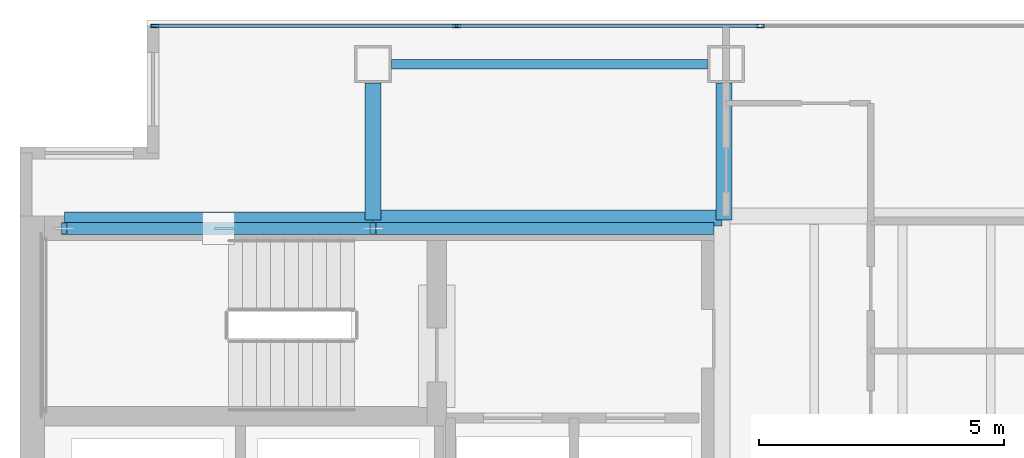
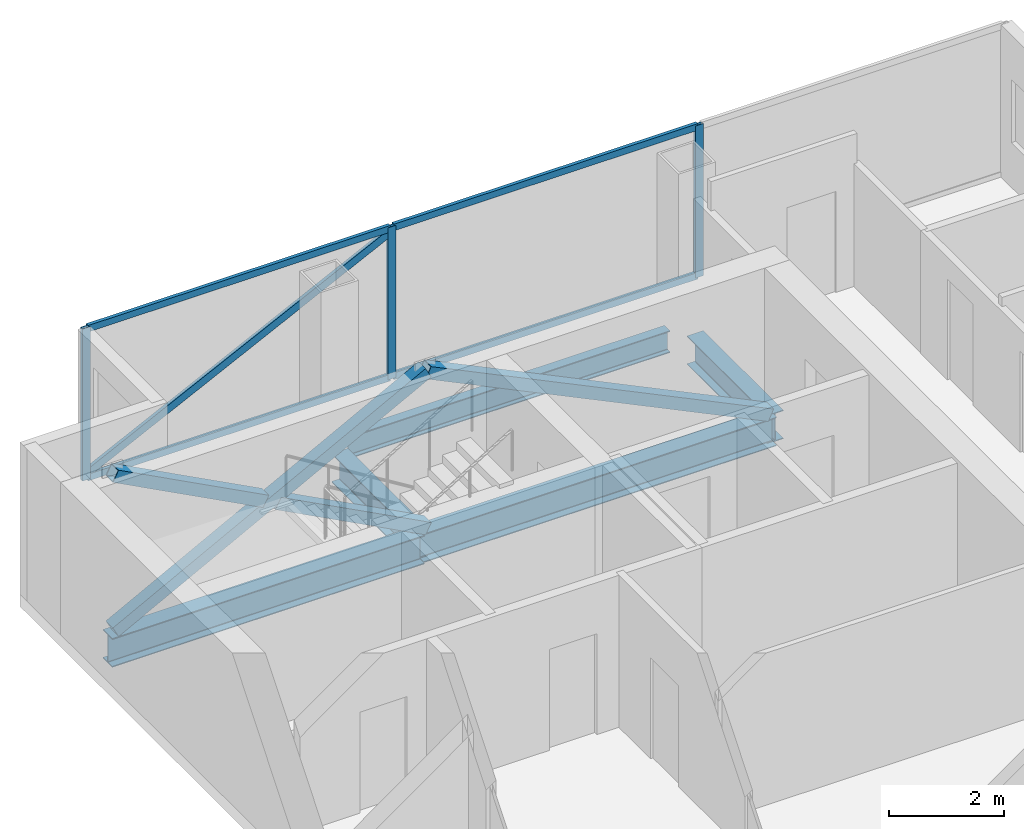
# One storey, part 17 of 23: 12 members, 5 beams, 1 element without a shape of its own.
"""IFC4 building model written with IfcOpenShell, lengths in metres."""

from ifc_helpers import new_model, si_unit, direction, frame, origin, origin_2d, place, context, subcontext, project, spatial, hollow_rectangle, i_section, extrude, material, material_profile, profile_set, type_object, element, aggregate, save


model = new_model("IFC4")

# Units and contexts
model_context = context("Model", 3, precision=1e-05, world=origin(), true_north=direction((0.0, 1.0)))
body_context = subcontext(model_context, "Body", "Model", "MODEL_VIEW")
ifc_project = project(units=[si_unit("LENGTHUNIT", "METRE"), si_unit("AREAUNIT", "SQUARE_METRE"), si_unit("VOLUMEUNIT", "CUBIC_METRE"), si_unit("PLANEANGLEUNIT", "RADIAN"), si_unit("MASSUNIT", "GRAM", prefix="KILO")], contexts=[model_context])

# Site, building, storey
site_placement = place(None, origin())
site = spatial("IfcSite", under=ifc_project, at=site_placement, CompositionType="ELEMENT")
building_placement = place(site_placement, origin())
building = spatial("IfcBuilding", under=site, at=building_placement, Name="Cobrela Telecom Tower", CompositionType="ELEMENT")
storey_placement = place(building_placement, frame((0.0, 0.0, 204.75)))
storey = spatial("IfcBuildingStorey", under=building, at=storey_placement, Name="L52", CompositionType="ELEMENT", Elevation=204.75)

# Beams
ifc_material_1 = material(Name="Steel ASTM A992 Grade 50", Category="steel")
ifc_material_profile_1 = material_profile(ifc_material_1, i_section(OverallWidth=0.324951171875, OverallDepth=0.612060546875, WebThickness=0.0126953125, FlangeThickness=0.01904296875, FilletRadius=0.014892578125, at=origin_2d()), Name="W24X104")
ifc_profile_set_1 = profile_set([ifc_material_profile_1], Name="Steel ASTM A992 Grade 50")
beam_type_1 = type_object("IfcBeamType", Name="BM-GIRD-07", PredefinedType="USERDEFINED", material=ifc_profile_set_1)
beam_1_placement = place(storey_placement, frame((0.905029296875, 35.919921875, -0.56591796875), z_axis=(1.0, 0.0, 0.0), x_axis=(0.0, 1.0, 0.0)))
element("IfcBeam", 1, at=beam_1_placement, inside=storey, type_object=beam_type_1, Name="L52 Primary Girder X20", ObjectType="GIRDER", PredefinedType="USERDEFINED", context=body_context, shape_type="SweptSolid", body=[
    extrude(i_section(OverallWidth=0.324951171875, OverallDepth=0.612060546875, WebThickness=0.0126953125, FlangeThickness=0.01904296875, FilletRadius=0.014892578125, at=origin_2d()), origin(), (0.0, 0.0, 1.0), 6.2900390625),
])
beam_2_placement = place(storey_placement, frame((7.205078125, 35.9599609375, -0.56591796875), z_axis=(1.0, 0.0, 0.0), x_axis=(0.0, 1.0, 0.0)))
element("IfcBeam", 2, at=beam_2_placement, inside=storey, type_object=beam_type_1, Name="L52 Primary Girder X21", ObjectType="GIRDER", PredefinedType="USERDEFINED", context=body_context, shape_type="SweptSolid", body=[
    extrude(i_section(OverallWidth=0.324951171875, OverallDepth=0.612060546875, WebThickness=0.0126953125, FlangeThickness=0.01904296875, FilletRadius=0.014892578125, at=origin_2d()), origin(), (0.0, 0.0, 1.0), 7.10986328125),
])
for number, where, z_axis, x_axis, name in (
    (3, (7.199951171875, 35.925048828125, -0.56591796875), (0.0, 1.0, 0.0), (-1.0, 0.0, 0.0), "L52 Primary Girder Y25"),
    (4, (14.360107421875, 35.925048828125, -0.56591796875), (0.0, 1.0, 0.0), (-1.0, 0.0, 0.0), "L52 Primary Girder Y31"),
):
    element("IfcBeam", number, at=place(storey_placement, frame(where, z_axis=z_axis, x_axis=x_axis)), inside=storey, type_object=beam_type_1, Name=name, ObjectType="GIRDER", PredefinedType="USERDEFINED", context=body_context, shape_type="SweptSolid", body=[
        extrude(i_section(OverallWidth=0.324951171875, OverallDepth=0.612060546875, WebThickness=0.0126953125, FlangeThickness=0.01904296875, FilletRadius=0.014892578125, at=origin_2d()), origin(), (0.0, 0.0, 1.0), 2.794921875),
    ])
ifc_material_profile_2 = material_profile(ifc_material_1, i_section(OverallWidth=0.193115234375, OverallDepth=0.467041015625, WebThickness=0.011474609375, FlangeThickness=0.01904296875, FilletRadius=0.012939453125, at=origin_2d()), Name="W18X65")
ifc_profile_set_2 = profile_set([ifc_material_profile_2], Name="Steel ASTM A992 Grade 50")
beam_type_2 = type_object("IfcBeamType", Name="BM-SPAND-05", PredefinedType="SPANDREL", material=ifc_profile_set_2)
beam_3_placement = place(storey_placement, frame((7.580078125, 39.10009765625, -0.493408203125), z_axis=(1.0, 0.0, 0.0), x_axis=(0.0, 1.0, 0.0)))
element("IfcBeam", 5, at=beam_3_placement, inside=storey, type_object=beam_type_2, Name="L52 Perimeter Spandrel X23", PredefinedType="SPANDREL", context=body_context, shape_type="SweptSolid", body=[
    extrude(i_section(OverallWidth=0.193115234375, OverallDepth=0.467041015625, WebThickness=0.011474609375, FlangeThickness=0.01904296875, FilletRadius=0.012939453125, at=origin_2d()), origin(), (0.0, 0.0, 1.0), 6.43994140625),
])

# Curtain wall, members
ifc_material_2 = material(Name="Anodized Bronze Aluminium 6063-T6", Category="aluminium")
curtain_wall_type = type_object("IfcCurtainWallType", Name="CW-SYS-OFF-LO", PredefinedType="USERDEFINED", material=ifc_material_2)
curtain_wall_placement = place(storey_placement, origin())
curtain_wall = element("IfcCurtainWall", 6, at=curtain_wall_placement, inside=storey, type_object=curtain_wall_type, Name="L52 Unitised Bronze Curtain Wall 07", ObjectType="UNITISED CURTAIN WALL", PredefinedType="USERDEFINED")
ifc_material_profile_3 = material_profile(ifc_material_2, hollow_rectangle(XDim=0.070068359375, YDim=0.159912109375, WallThickness=0.00390625, at=origin_2d()), Name="ALU 70x160x4")
ifc_profile_set_3 = profile_set([ifc_material_profile_3], Name="Anodized Bronze Aluminium 6063-T6")
member_type_1 = type_object("IfcMemberType", Name="CW-SYS-OFF-LO-MUL", PredefinedType="MULLION", material=ifc_profile_set_3)
member_1_placement = place(storey_placement, frame((2.7451171875, 39.8798828125, 0.0), z_axis=(0.0, 0.0, 1.0), x_axis=(0.0, 1.0, 0.0)))
member_1 = element("IfcMember", 7, at=member_1_placement, type_object=member_type_1, Name="CW-OFF-LO mullion 1", PredefinedType="MULLION", context=body_context, shape_type="SweptSolid", body=[
    extrude(hollow_rectangle(XDim=0.070068359375, YDim=0.159912109375, WallThickness=0.00390625, at=origin_2d()), origin(), (0.0, 0.0, 1.0), 3.239990234375),
])
member_2_placement = place(storey_placement, frame((8.9033203125, 39.8798828125, 0.0), z_axis=(0.0, 0.0, 1.0), x_axis=(0.0, 1.0, 0.0)))
member_2 = element("IfcMember", 8, at=member_2_placement, type_object=member_type_1, Name="CW-OFF-LO mullion 2", PredefinedType="MULLION", context=body_context, shape_type="SweptSolid", body=[
    extrude(hollow_rectangle(XDim=0.070068359375, YDim=0.159912109375, WallThickness=0.00390625, at=origin_2d()), origin(), (0.0, 0.0, 1.0), 3.239990234375),
])
member_3_placement = place(storey_placement, frame((15.0966796875, 39.8798828125, 0.0), z_axis=(0.0, 0.0, 1.0), x_axis=(0.0, 1.0, 0.0)))
member_3 = element("IfcMember", 9, at=member_3_placement, type_object=member_type_1, Name="CW-OFF-LO mullion 3", PredefinedType="MULLION", context=body_context, shape_type="SweptSolid", body=[
    extrude(hollow_rectangle(XDim=0.070068359375, YDim=0.159912109375, WallThickness=0.00390625, at=origin_2d()), origin(), (0.0, 0.0, 1.0), 3.239990234375),
])
member_4_placement = place(storey_placement, frame((2.7099609375, 39.8798828125, 0.10009765625), z_axis=(0.897700949578, 0.0, 0.440605271334), x_axis=(0.0, 1.0, 0.0)))
member_4 = element("IfcMember", 10, at=member_4_placement, type_object=member_type_1, Name="L52 Faceted Curtain Wall Diagonal Glazing Mullion", PredefinedType="MULLION", context=body_context, shape_type="SweptSolid", body=[
    extrude(hollow_rectangle(XDim=0.070068359375, YDim=0.159912109375, WallThickness=0.00390625, at=origin_2d()), origin(), (0.0, 0.0, 1.0), 6.899169921875),
])
ifc_material_profile_4 = material_profile(ifc_material_2, hollow_rectangle(XDim=0.070068359375, YDim=0.139892578125, WallThickness=0.00390625, at=origin_2d()), Name="ALU 70x140x4")
ifc_profile_set_4 = profile_set([ifc_material_profile_4], Name="Anodized Bronze Aluminium 6063-T6")
member_type_2 = type_object("IfcMemberType", Name="CW-SYS-OFF-LO-TRN", PredefinedType="USERDEFINED", material=ifc_profile_set_4)
member_5_placement = place(storey_placement, frame((2.780029296875, 39.8798828125, 0.034912109375), z_axis=(1.0, 0.0, 0.0), x_axis=(0.0, 1.0, 0.0)))
member_5 = element("IfcMember", 11, at=member_5_placement, type_object=member_type_2, Name="CW-OFF-LO transom 1.1", ObjectType="TRANSOM", PredefinedType="USERDEFINED", context=body_context, shape_type="SweptSolid", body=[
    extrude(hollow_rectangle(XDim=0.070068359375, YDim=0.139892578125, WallThickness=0.00390625, at=origin_2d()), origin(), (0.0, 0.0, 1.0), 6.08837890625),
])
member_6_placement = place(storey_placement, frame((2.780029296875, 39.8798828125, 3.205078125), z_axis=(1.0, 0.0, 0.0), x_axis=(0.0, 1.0, 0.0)))
member_6 = element("IfcMember", 12, at=member_6_placement, type_object=member_type_2, Name="CW-OFF-LO transom 1.2", ObjectType="TRANSOM", PredefinedType="USERDEFINED", context=body_context, shape_type="SweptSolid", body=[
    extrude(hollow_rectangle(XDim=0.070068359375, YDim=0.139892578125, WallThickness=0.00390625, at=origin_2d()), origin(), (0.0, 0.0, 1.0), 6.08837890625),
])
member_7_placement = place(storey_placement, frame((8.938232421875, 39.8798828125, 0.034912109375), z_axis=(1.0, 0.0, 0.0), x_axis=(0.0, 1.0, 0.0)))
member_7 = element("IfcMember", 13, at=member_7_placement, type_object=member_type_2, Name="CW-OFF-LO transom 2.1", ObjectType="TRANSOM", PredefinedType="USERDEFINED", context=body_context, shape_type="SweptSolid", body=[
    extrude(hollow_rectangle(XDim=0.070068359375, YDim=0.139892578125, WallThickness=0.00390625, at=origin_2d()), origin(), (0.0, 0.0, 1.0), 6.12353515625),
])
member_8_placement = place(storey_placement, frame((8.938232421875, 39.8798828125, 3.205078125), z_axis=(1.0, 0.0, 0.0), x_axis=(0.0, 1.0, 0.0)))
member_8 = element("IfcMember", 14, at=member_8_placement, type_object=member_type_2, Name="CW-OFF-LO transom 2.2", ObjectType="TRANSOM", PredefinedType="USERDEFINED", context=body_context, shape_type="SweptSolid", body=[
    extrude(hollow_rectangle(XDim=0.070068359375, YDim=0.139892578125, WallThickness=0.00390625, at=origin_2d()), origin(), (0.0, 0.0, 1.0), 6.12353515625),
])
aggregate(curtain_wall, [member_1, member_2, member_3, member_5, member_6, member_7, member_8, member_4])

# Members
ifc_material_3 = material(Name="Steel ASTM A572 Grade 50", Category="steel")
ifc_material_profile_5 = material_profile(ifc_material_3, hollow_rectangle(XDim=0.25, YDim=0.25, WallThickness=0.013916015625, at=origin_2d()), Name="HSS 250x250x14")
ifc_profile_set_5 = profile_set([ifc_material_profile_5], Name="Steel ASTM A572 Grade 50")
member_type_3 = type_object("IfcMemberType", Name="MBR-EXO-04", PredefinedType="BRACE", material=ifc_profile_set_5)
member_9_placement = place(storey_placement, frame((0.89990234375, 35.75, -0.0400390625), z_axis=(0.884671945606, 0.0, 0.466214058837), x_axis=(0.0, 1.0, 0.0)))
element("IfcMember", 15, at=member_9_placement, inside=storey, type_object=member_type_3, Name="L52 Core Flange Steel X-Brace Continuous A", PredefinedType="BRACE", context=body_context, shape_type="SweptSolid", body=[
    extrude(hollow_rectangle(XDim=0.25, YDim=0.25, WallThickness=0.013916015625, at=origin_2d()), origin(), (0.0, 0.0, 1.0), 7.121337890625),
])
for number, where, z_axis, x_axis, name in (
    (16, (7.199951171875, 35.75, -0.0400390625), (-0.884673479945, 0.0, 0.466211147317), (0.0, -1.0, 0.0), "L52 Core Flange Steel X-Brace Split B1"),
    (17, (3.926025390625, 35.75, 1.685302734375), (-0.884673479945, 0.0, 0.466211147317), (0.0, -1.0, 0.0), "L52 Core Flange Steel X-Brace Split B2"),
):
    element("IfcMember", number, at=place(storey_placement, frame(where, z_axis=z_axis, x_axis=x_axis)), inside=storey, type_object=member_type_3, Name=name, PredefinedType="BRACE", context=body_context, shape_type="SweptSolid", body=[
        extrude(hollow_rectangle(XDim=0.25, YDim=0.25, WallThickness=0.013916015625, at=origin_2d()), origin(), (0.0, 0.0, 1.0), 3.420654296875),
    ])
member_10_placement = place(storey_placement, frame((14.10009765625, 35.75, -0.0400390625), z_axis=(-0.901115182893, 0.0, 0.43357978177), x_axis=(0.0, -1.0, 0.0)))
element("IfcMember", 18, at=member_10_placement, inside=storey, type_object=member_type_3, Name="L52 Core Flange Steel Brace N2", PredefinedType="BRACE", context=body_context, shape_type="SweptSolid", body=[
    extrude(hollow_rectangle(XDim=0.25, YDim=0.25, WallThickness=0.013916015625, at=origin_2d()), origin(), (0.0, 0.0, 1.0), 7.6572265625),
])

save(model, "model.ifc")
